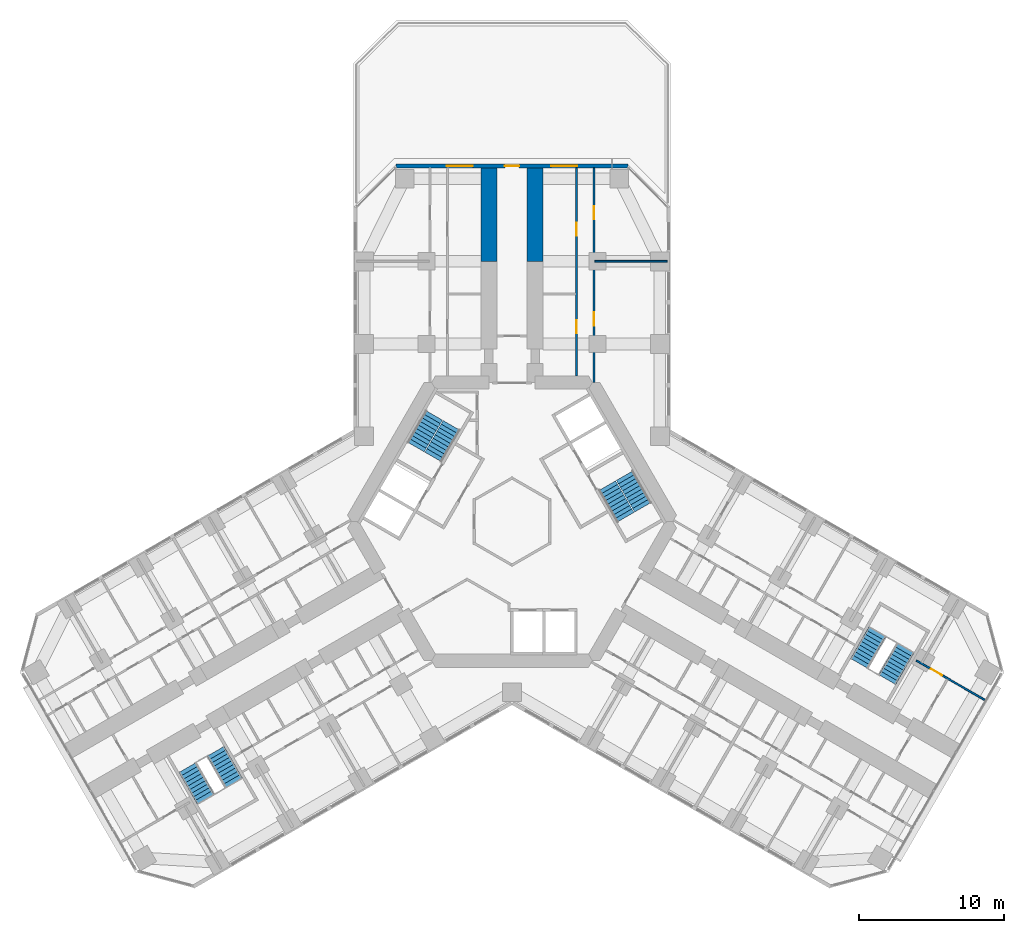
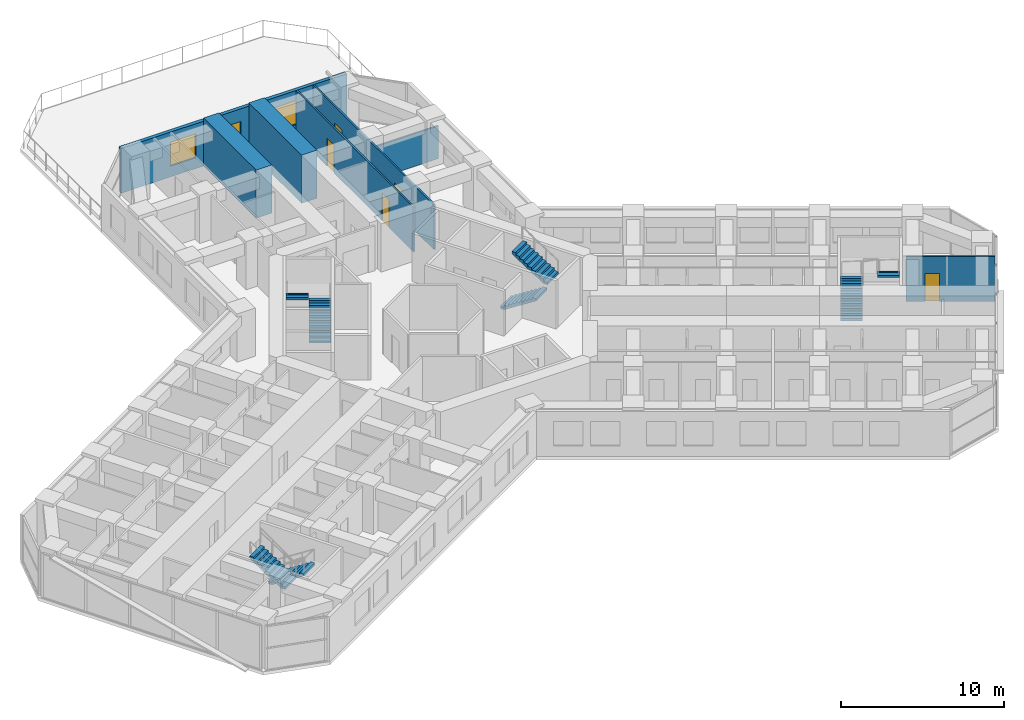
# One storey, part 18 of 19: 8 stair flights, 7 walls, 6 doors, 2 windows, 8 openings, 4 elements without a shape of their own.
"""IFC4 building model written with IfcOpenShell, lengths in metres."""

from ifc_helpers import new_model, si_unit, direction, frame, frame_2d, origin, place, context, subcontext, project, spatial, polyline, rectangle, outline, extrude, material, layer, layer_set, type_object, element, fill, aggregate, save


model = new_model("IFC4")

# Units and contexts
model_context = context("Model", 3, precision=1e-05, world=origin(), true_north=direction((0.0, 1.0)))
body_context = subcontext(model_context, "Body", "Model", "MODEL_VIEW")
ifc_project = project(units=[si_unit("LENGTHUNIT", "METRE"), si_unit("AREAUNIT", "SQUARE_METRE"), si_unit("VOLUMEUNIT", "CUBIC_METRE"), si_unit("PLANEANGLEUNIT", "RADIAN"), si_unit("MASSUNIT", "GRAM", prefix="KILO")], contexts=[model_context])

# Site, building, storey
site_placement = place(None, origin())
site = spatial("IfcSite", under=ifc_project, at=site_placement, CompositionType="ELEMENT")
building_placement = place(site_placement, origin())
building = spatial("IfcBuilding", under=site, at=building_placement, Name="Kosmar Iwan School Tower", CompositionType="ELEMENT")
storey_placement = place(building_placement, frame((0.0, 0.0, 120.199951171875)))
storey = spatial("IfcBuildingStorey", under=building, at=storey_placement, Name="L29", CompositionType="ELEMENT", Elevation=120.199951171875)

# Walls
ifc_material_1 = material(Name="Concrete C50/60", Category="concrete")
ifc_layer_1 = layer(ifc_material_1, 1.10009765625)
ifc_layer_set_1 = layer_set([ifc_layer_1], Name="Corridor buttress wall 1100")
wall_type_1 = type_object("IfcWallType", Name="Corridor buttress wall 1100", PredefinedType="SHEAR", material=ifc_layer_set_1)
for number, where, z_axis, x_axis, name in (
    (1, (-1.60009765625, 17.949951171875, 0.0), (0.0, 0.0, 1.0), (0.0, 1.0, 0.0), "Corridor wall AL bay 2"),
    (2, (1.60009765625, 17.949951171875, 0.0), (0.0, 0.0, 1.0), (0.0, 1.0, 0.0), "Corridor wall AR bay 2"),
):
    element("IfcWall", number, at=place(storey_placement, frame(where, z_axis=z_axis, x_axis=x_axis)), inside=storey, type_object=wall_type_1, Name=name, PredefinedType="SHEAR", context=body_context, shape_type="SweptSolid", body=[
        extrude(rectangle(XDim=6.449951171875, YDim=1.10009765625, at=frame_2d((3.22509765625, 0.0))), origin(), (0.0, 0.0, 1.0), 3.60009765625),
    ])

# Wall, openings, doors
ifc_material_2 = material(Name="Gypsum board on steel studs", Category="steel")
ifc_layer_2 = layer(ifc_material_2, 0.1201171875)
ifc_layer_set_2 = layer_set([ifc_layer_2], Name="Dwelling partition 120")
wall_type_2 = type_object("IfcWallType", Name="Dwelling partition 120", PredefinedType="PARTITIONING", material=ifc_layer_set_2)
wall_1_placement = place(storey_placement, frame((4.449951171875, 10.050048828125, 0.0), z_axis=(0.0, 0.0, 1.0), x_axis=(0.0, 1.0, 0.0)))
wall_1 = element("IfcWall", 3, at=wall_1_placement, inside=storey, type_object=wall_type_2, Name="Partition L29-AR1-W1", PredefinedType="PARTITIONING", context=body_context, shape_type="SweptSolid", body=[
    extrude(rectangle(XDim=14.349853515625, YDim=0.1201171875, at=frame_2d((7.1748046875, 0.0))), origin(), (0.0, 0.0, 1.0), 3.35009765625),
])
opening_1_placement = place(wall_1_placement, frame((2.949951171875, 0.0, 0.0)))
opening_1 = element("IfcOpeningElement", 4, at=opening_1_placement, cuts=wall_1, Name="Opening D2", PredefinedType="OPENING", context=body_context, shape_type="SweptSolid", body=[
    extrude(rectangle(XDim=0.89990234375, YDim=2.10009765625, at=frame_2d((0.449951171875, 1.050048828125))), frame((0.0, 0.072021484375, 0.0), z_axis=(0.0, -1.0, 0.0), x_axis=(1.0, 0.0, 0.0)), (0.0, 0.0, 1.0), 0.14404296875),
])
opening_2_placement = place(wall_1_placement, frame((9.675048828125, 0.0, 0.0)))
opening_2 = element("IfcOpeningElement", 5, at=opening_2_placement, cuts=wall_1, Name="Opening D2", PredefinedType="OPENING", context=body_context, shape_type="SweptSolid", body=[
    extrude(rectangle(XDim=0.89990234375, YDim=2.10009765625, at=frame_2d((0.449951171875, 1.050048828125))), frame((0.0, 0.072021484375, 0.0), z_axis=(0.0, -1.0, 0.0), x_axis=(1.0, 0.0, 0.0)), (0.0, 0.0, 1.0), 0.14404296875),
])
ifc_material_3 = material(Name="Timber door in timber frame", Category="wood")
door_type_1 = type_object("IfcDoorType", Name="Internal door 900x2100", OperationType="SINGLE_SWING_LEFT", PredefinedType="DOOR", material=ifc_material_3)
door_1_placement = place(opening_1_placement, origin())
door_1 = element("IfcDoor", 6, at=door_1_placement, inside=storey, type_object=door_type_1, Name="Lounge kitchen door L29-AR1-S1", OperationType="SINGLE_SWING_RIGHT", OverallHeight=2.10009765625, OverallWidth=0.89990234375, PredefinedType="DOOR", context=body_context, shape_type="SweptSolid", body=[
    extrude(rectangle(XDim=0.89990234375, YDim=2.10009765625, at=frame_2d((0.449951171875, 1.050048828125))), frame((0.0, 0.02490234375, 0.0), z_axis=(0.0, -1.0, 0.0), x_axis=(1.0, 0.0, 0.0)), (0.0, 0.0, 1.0), 0.050048828125),
])
fill(opening_1, door_1)
door_2_placement = place(opening_2_placement, origin())
door_2 = element("IfcDoor", 7, at=door_2_placement, inside=storey, type_object=door_type_1, Name="Accessible toilet door L29-AR1-S2", OperationType="SINGLE_SWING_RIGHT", OverallHeight=2.10009765625, OverallWidth=0.89990234375, PredefinedType="DOOR", context=body_context, shape_type="SweptSolid", body=[
    extrude(rectangle(XDim=0.89990234375, YDim=2.10009765625, at=frame_2d((0.449951171875, 1.050048828125))), frame((0.0, 0.02490234375, 0.0), z_axis=(0.0, -1.0, 0.0), x_axis=(1.0, 0.0, 0.0)), (0.0, 0.0, 1.0), 0.050048828125),
])
fill(opening_2, door_2)

wall_2_placement = place(storey_placement, frame((5.64990234375, 9.60009765625, 0.0), z_axis=(0.0, 0.0, 1.0), x_axis=(0.0, 1.0, 0.0)))
wall_2 = element("IfcWall", 8, at=wall_2_placement, inside=storey, type_object=wall_type_2, Name="Partition L29-AR1-W2", PredefinedType="PARTITIONING", context=body_context, shape_type="SweptSolid", body=[
    extrude(rectangle(XDim=14.7998046875, YDim=0.1201171875, at=frame_2d((7.39990234375, 0.0))), origin(), (0.0, 0.0, 1.0), 3.35009765625),
])
opening_3_placement = place(wall_2_placement, frame((3.925048828125, 0.0, 0.0)))
opening_3 = element("IfcOpeningElement", 9, at=opening_3_placement, cuts=wall_2, Name="Opening D2", PredefinedType="OPENING", context=body_context, shape_type="SweptSolid", body=[
    extrude(rectangle(XDim=0.89990234375, YDim=2.10009765625, at=frame_2d((0.449951171875, 1.050048828125))), frame((0.0, 0.072021484375, 0.0), z_axis=(0.0, -1.0, 0.0), x_axis=(1.0, 0.0, 0.0)), (0.0, 0.0, 1.0), 0.14404296875),
])
opening_4_placement = place(wall_2_placement, frame((11.25, 0.0, 0.0)))
opening_4 = element("IfcOpeningElement", 10, at=opening_4_placement, cuts=wall_2, Name="Opening D2", PredefinedType="OPENING", context=body_context, shape_type="SweptSolid", body=[
    extrude(rectangle(XDim=0.89990234375, YDim=2.10009765625, at=frame_2d((0.449951171875, 1.050048828125))), frame((0.0, 0.072021484375, 0.0), z_axis=(0.0, -1.0, 0.0), x_axis=(1.0, 0.0, 0.0)), (0.0, 0.0, 1.0), 0.14404296875),
])
door_3_placement = place(opening_3_placement, origin())
door_3 = element("IfcDoor", 11, at=door_3_placement, inside=storey, type_object=door_type_1, Name="Residents' lounge door L29-AR1-F1", OperationType="SINGLE_SWING_LEFT", OverallHeight=2.10009765625, OverallWidth=0.89990234375, PredefinedType="DOOR", context=body_context, shape_type="SweptSolid", body=[
    extrude(rectangle(XDim=0.89990234375, YDim=2.10009765625, at=frame_2d((0.449951171875, 1.050048828125))), frame((0.0, 0.02490234375, 0.0), z_axis=(0.0, -1.0, 0.0), x_axis=(1.0, 0.0, 0.0)), (0.0, 0.0, 1.0), 0.050048828125),
])
fill(opening_3, door_3)
door_4_placement = place(opening_4_placement, origin())
door_4 = element("IfcDoor", 12, at=door_4_placement, inside=storey, type_object=door_type_1, Name="Children's play room door L29-AR1-F2", OperationType="SINGLE_SWING_RIGHT", OverallHeight=2.10009765625, OverallWidth=0.89990234375, PredefinedType="DOOR", context=body_context, shape_type="SweptSolid", body=[
    extrude(rectangle(XDim=0.89990234375, YDim=2.10009765625, at=frame_2d((0.449951171875, 1.050048828125))), frame((0.0, 0.02490234375, 0.0), z_axis=(0.0, -1.0, 0.0), x_axis=(1.0, 0.0, 0.0)), (0.0, 0.0, 1.0), 0.050048828125),
])
fill(opening_4, door_4)

# Wall
wall_3_placement = place(storey_placement, frame((5.7099609375, 17.949951171875, 0.0), z_axis=(0.0, 0.0, 1.0), x_axis=(1.0, 0.0, 0.0)))
element("IfcWall", 13, at=wall_3_placement, inside=storey, type_object=wall_type_2, Name="Partition L29-AR1-X1", PredefinedType="PARTITIONING", context=body_context, shape_type="SweptSolid", body=[
    extrude(rectangle(XDim=4.989990234375, YDim=0.1201171875, at=frame_2d((2.4951171875, 0.0))), origin(), (0.0, 0.0, 1.0), 2.449951171875),
])

# Wall, opening, door
wall_4_placement = place(storey_placement, frame((27.896484375, -9.58203125, 0.0), z_axis=(0.0, 0.0, 1.0), x_axis=(0.866035508231, -0.499982498177, 0.0)))
wall_4 = element("IfcWall", 14, at=wall_4_placement, inside=storey, type_object=wall_type_2, Name="Partition L29-CL2-TW", PredefinedType="PARTITIONING", context=body_context, shape_type="SweptSolid", body=[
    extrude(rectangle(XDim=5.445068359375, YDim=0.1201171875, at=frame_2d((2.72265625, 0.0))), origin(), (0.0, 0.0, 1.0), 3.35009765625),
])
opening_5_placement = place(wall_4_placement, frame((1.14990234375, 0.0, 0.0)))
opening_5 = element("IfcOpeningElement", 15, at=opening_5_placement, cuts=wall_4, Name="Opening D2", PredefinedType="OPENING", context=body_context, shape_type="SweptSolid", body=[
    extrude(rectangle(XDim=0.89990234375, YDim=2.10009765625, at=frame_2d((0.449951171875, 1.050048828125))), frame((0.0, 0.072021484375, 0.0), z_axis=(0.0, -1.0, 0.0), x_axis=(1.0, 0.0, 0.0)), (0.0, 0.0, 1.0), 0.14404296875),
])
door_5_placement = place(opening_5_placement, origin())
door_5 = element("IfcDoor", 16, at=door_5_placement, inside=storey, type_object=door_type_1, Name="Entrance hall door L29-CL2-T3", OperationType="SINGLE_SWING_LEFT", OverallHeight=2.10009765625, OverallWidth=0.89990234375, PredefinedType="DOOR", context=body_context, shape_type="SweptSolid", body=[
    extrude(rectangle(XDim=0.89990234375, YDim=2.10009765625, at=frame_2d((0.449951171875, 1.050048828125))), frame((0.0, 0.02490234375, 0.0), z_axis=(0.0, -1.0, 0.0), x_axis=(1.0, 0.0, 0.0)), (0.0, 0.0, 1.0), 0.050048828125),
])
fill(opening_5, door_5)

# Wall, openings, door, windows
ifc_material_4 = material(Name="Black steel framed fire-resisting glazed screen", Category="steel")
ifc_layer_3 = layer(ifc_material_4, 0.25)
ifc_layer_set_3 = layer_set([ifc_layer_3], Name="Fire-resisting terrace screen wall 250")
wall_type_3 = type_object("IfcWallType", Name="Fire-resisting terrace screen wall 250", PredefinedType="SOLIDWALL", material=ifc_layer_set_3)
wall_5_placement = place(storey_placement, frame((7.9853515625, 24.52490234375, 0.0), z_axis=(0.0, 0.0, 1.0), x_axis=(-1.0, 0.0, 0.0)))
wall_5 = element("IfcWall", 17, at=wall_5_placement, inside=storey, type_object=wall_type_3, Name="Terrace screen L29 L29-F08", PredefinedType="SOLIDWALL", context=body_context, shape_type="SweptSolid", body=[
    extrude(rectangle(XDim=15.970703125, YDim=0.25, at=frame_2d((7.9853515625, 0.0))), origin(), (0.0, 0.0, 1.0), 3.35009765625),
])
opening_6_placement = place(wall_5_placement, frame((7.4853515625, 0.0, 0.0)))
opening_6 = element("IfcOpeningElement", 18, at=opening_6_placement, cuts=wall_5, Name="Opening D15", PredefinedType="OPENING", context=body_context, shape_type="SweptSolid", body=[
    extrude(rectangle(XDim=1.0, YDim=2.39990234375, at=frame_2d((0.5, 1.199951171875))), frame((0.0, 0.136962890625, 0.0), z_axis=(0.0, -1.0, 0.0), x_axis=(1.0, 0.0, 0.0)), (0.0, 0.0, 1.0), 0.27392578125),
])
opening_7_placement = place(wall_5_placement, frame((3.4853515625, 0.0, 0.800048828125)))
opening_7 = element("IfcOpeningElement", 19, at=opening_7_placement, cuts=wall_5, Name="Opening W1", PredefinedType="OPENING", context=body_context, shape_type="SweptSolid", body=[
    extrude(rectangle(XDim=1.800048828125, YDim=1.800048828125, at=frame_2d((0.89990234375, 0.89990234375))), frame((0.0, 0.136962890625, 0.0), z_axis=(0.0, -1.0, 0.0), x_axis=(1.0, 0.0, 0.0)), (0.0, 0.0, 1.0), 0.27392578125),
])
opening_8_placement = place(wall_5_placement, frame((10.685302734375, 0.0, 0.800048828125)))
opening_8 = element("IfcOpeningElement", 20, at=opening_8_placement, cuts=wall_5, Name="Opening W1", PredefinedType="OPENING", context=body_context, shape_type="SweptSolid", body=[
    extrude(rectangle(XDim=1.800048828125, YDim=1.800048828125, at=frame_2d((0.89990234375, 0.89990234375))), frame((0.0, 0.136962890625, 0.0), z_axis=(0.0, -1.0, 0.0), x_axis=(1.0, 0.0, 0.0)), (0.0, 0.0, 1.0), 0.27392578125),
])
ifc_material_5 = material(Name="Insulated steel door, weather-sealed", Category="steel")
door_type_2 = type_object("IfcDoorType", Name="Maintenance access door 1000x2400", OperationType="SINGLE_SWING_LEFT", PredefinedType="DOOR", material=ifc_material_5)
door_6_placement = place(opening_6_placement, origin())
door_6 = element("IfcDoor", 21, at=door_6_placement, inside=storey, type_object=door_type_2, Name="Maintenance access door A L29", OperationType="SINGLE_SWING_LEFT", OverallHeight=2.39990234375, OverallWidth=1.0, PredefinedType="DOOR", context=body_context, shape_type="SweptSolid", body=[
    extrude(rectangle(XDim=1.0, YDim=2.39990234375, at=frame_2d((0.5, 1.199951171875))), frame((0.0, 0.02490234375, 0.0), z_axis=(0.0, -1.0, 0.0), x_axis=(1.0, 0.0, 0.0)), (0.0, 0.0, 1.0), 0.050048828125),
])
fill(opening_6, door_6)
ifc_material_6 = material(Name="Black aluminium frame with dark triple glazing", Category="aluminium")
window_type = type_object("IfcWindowType", Name="Window 1800x1800", PartitioningType="SINGLE_PANEL", PredefinedType="WINDOW", material=ifc_material_6)
window_1_placement = place(opening_7_placement, origin())
window_1 = element("IfcWindow", 22, at=window_1_placement, inside=storey, type_object=window_type, Name="Window tip A L29", OverallHeight=1.800048828125, OverallWidth=1.800048828125, PartitioningType="SINGLE_PANEL", PredefinedType="WINDOW", context=body_context, shape_type="SweptSolid", body=[
    extrude(rectangle(XDim=1.800048828125, YDim=1.800048828125, at=frame_2d((0.89990234375, 0.89990234375))), frame((0.0, 0.030029296875, 0.0), z_axis=(0.0, -1.0, 0.0), x_axis=(1.0, 0.0, 0.0)), (0.0, 0.0, 1.0), 0.06005859375),
])
fill(opening_7, window_1)
window_2_placement = place(opening_8_placement, origin())
window_2 = element("IfcWindow", 23, at=window_2_placement, inside=storey, type_object=window_type, Name="Window tip A L29", OverallHeight=1.800048828125, OverallWidth=1.800048828125, PartitioningType="SINGLE_PANEL", PredefinedType="WINDOW", context=body_context, shape_type="SweptSolid", body=[
    extrude(rectangle(XDim=1.800048828125, YDim=1.800048828125, at=frame_2d((0.89990234375, 0.89990234375))), frame((0.0, 0.030029296875, 0.0), z_axis=(0.0, -1.0, 0.0), x_axis=(1.0, 0.0, 0.0)), (0.0, 0.0, 1.0), 0.06005859375),
])
fill(opening_8, window_2)

# Stair, stair flights
ifc_material_7 = material(Name="Concrete C35/45", Category="concrete")
stair_type_1 = type_object("IfcStairType", Name="Escape stair 3600", PredefinedType="HALF_TURN_STAIR", material=ifc_material_7)
stair_1_placement = place(storey_placement, origin())
stair_1 = element("IfcStair", 24, at=stair_1_placement, inside=storey, type_object=stair_type_1, Name="Stair WS2 L29", PredefinedType="HALF_TURN_STAIR")
ifc_material_8 = material(Name="Concrete C35/45", Category="concrete")
stair_flight_type_1 = type_object("IfcStairFlightType", Name="Escape stair flight 1350", PredefinedType="STRAIGHT", material=ifc_material_8)
stair_flight_1_placement = place(storey_placement, frame((-20.44189453125, -15.843505859375, 0.0), z_axis=(0.0, 0.0, 1.0), x_axis=(0.5, -0.866025403784, 0.0)))
stair_flight_1 = element("IfcStairFlight", 25, at=stair_flight_1_placement, type_object=stair_flight_type_1, Name="WS2 flight 1", NumberOfRisers=10, NumberOfTreads=9, PredefinedType="STRAIGHT", RiserHeight=0.18, TreadLength=0.28, context=body_context, shape_type="SweptSolid", body=[
    extrude(outline(polyline([(0.0, 0.0), (0.0, 0.179931640625), (0.280029296875, 0.179931640625), (0.280029296875, 0.360107421875), (0.56005859375, 0.360107421875), (0.56005859375, 0.5400390625), (0.840087890625, 0.5400390625), (0.840087890625, 0.719970703125), (1.1201171875, 0.719970703125), (1.1201171875, 0.89990234375), (1.39990234375, 0.89990234375), (1.39990234375, 1.080078125), (1.679931640625, 1.080078125), (1.679931640625, 1.260009765625), (1.9599609375, 1.260009765625), (1.9599609375, 1.43994140625), (2.239990234375, 1.43994140625), (2.239990234375, 1.6201171875), (2.52001953125, 1.6201171875), (2.52001953125, 1.800048828125), (2.52001953125, 1.44189453125), (0.277099609375, 0.0), (0.0, 0.0)])), frame((0.0, 0.675048828125, 0.0), z_axis=(0.0, -1.0, 0.0), x_axis=(1.0, 0.0, 0.0)), (0.0, 0.0, 1.0), 1.35009765625),
])
stair_flight_2_placement = place(storey_placement, frame((-21.13037109375, -19.15087890625, 1.800048828125), z_axis=(0.0, 0.0, 1.0), x_axis=(-0.5, 0.866025403784, 0.0)))
stair_flight_2 = element("IfcStairFlight", 26, at=stair_flight_2_placement, type_object=stair_flight_type_1, Name="WS2 flight 2", NumberOfRisers=10, NumberOfTreads=9, PredefinedType="STRAIGHT", RiserHeight=0.18, TreadLength=0.28, context=body_context, shape_type="SweptSolid", body=[
    extrude(outline(polyline([(0.0, 0.0), (0.0, 0.179931640625), (0.280029296875, 0.179931640625), (0.280029296875, 0.360107421875), (0.56005859375, 0.360107421875), (0.56005859375, 0.5400390625), (0.840087890625, 0.5400390625), (0.840087890625, 0.719970703125), (1.1201171875, 0.719970703125), (1.1201171875, 0.89990234375), (1.39990234375, 0.89990234375), (1.39990234375, 1.080078125), (1.679931640625, 1.080078125), (1.679931640625, 1.260009765625), (1.9599609375, 1.260009765625), (1.9599609375, 1.43994140625), (2.239990234375, 1.43994140625), (2.239990234375, 1.6201171875), (2.52001953125, 1.6201171875), (2.52001953125, 1.800048828125), (2.52001953125, 1.44189453125), (0.277099609375, 0.0), (0.0, 0.0)])), frame((0.0, 0.675048828125, 0.0), z_axis=(0.0, -1.0, 0.0), x_axis=(1.0, 0.0, 0.0)), (0.0, 0.0, 1.0), 1.35009765625),
])
aggregate(stair_1, [stair_flight_1, stair_flight_2])

stair_2_placement = place(storey_placement, origin())
stair_2 = element("IfcStair", 27, at=stair_2_placement, inside=storey, type_object=stair_type_1, Name="Stair WS3 L29", PredefinedType="HALF_TURN_STAIR")
stair_flight_3_placement = place(storey_placement, frame((23.94189453125, -9.781494140625, 0.0), z_axis=(0.0, 0.0, 1.0), x_axis=(0.5, 0.866025403784, 0.0)))
stair_flight_3 = element("IfcStairFlight", 28, at=stair_flight_3_placement, type_object=stair_flight_type_1, Name="WS3 flight 1", NumberOfRisers=10, NumberOfTreads=9, PredefinedType="STRAIGHT", RiserHeight=0.18, TreadLength=0.28, context=body_context, shape_type="SweptSolid", body=[
    extrude(outline(polyline([(0.0, 0.0), (0.0, 0.179931640625), (0.280029296875, 0.179931640625), (0.280029296875, 0.360107421875), (0.56005859375, 0.360107421875), (0.56005859375, 0.5400390625), (0.840087890625, 0.5400390625), (0.840087890625, 0.719970703125), (1.1201171875, 0.719970703125), (1.1201171875, 0.89990234375), (1.39990234375, 0.89990234375), (1.39990234375, 1.080078125), (1.679931640625, 1.080078125), (1.679931640625, 1.260009765625), (1.9599609375, 1.260009765625), (1.9599609375, 1.43994140625), (2.239990234375, 1.43994140625), (2.239990234375, 1.6201171875), (2.52001953125, 1.6201171875), (2.52001953125, 1.800048828125), (2.52001953125, 1.44189453125), (0.277099609375, 0.0), (0.0, 0.0)])), frame((0.0, 0.675048828125, 0.0), z_axis=(0.0, -1.0, 0.0), x_axis=(1.0, 0.0, 0.0)), (0.0, 0.0, 1.0), 1.35009765625),
])
stair_flight_4_placement = place(storey_placement, frame((27.150390625, -8.72412109375, 1.800048828125), z_axis=(0.0, 0.0, 1.0), x_axis=(-0.5, -0.866025403784, 0.0)))
stair_flight_4 = element("IfcStairFlight", 29, at=stair_flight_4_placement, type_object=stair_flight_type_1, Name="WS3 flight 2", NumberOfRisers=10, NumberOfTreads=9, PredefinedType="STRAIGHT", RiserHeight=0.18, TreadLength=0.28, context=body_context, shape_type="SweptSolid", body=[
    extrude(outline(polyline([(0.0, 0.0), (0.0, 0.179931640625), (0.280029296875, 0.179931640625), (0.280029296875, 0.360107421875), (0.56005859375, 0.360107421875), (0.56005859375, 0.5400390625), (0.840087890625, 0.5400390625), (0.840087890625, 0.719970703125), (1.1201171875, 0.719970703125), (1.1201171875, 0.89990234375), (1.39990234375, 0.89990234375), (1.39990234375, 1.080078125), (1.679931640625, 1.080078125), (1.679931640625, 1.260009765625), (1.9599609375, 1.260009765625), (1.9599609375, 1.43994140625), (2.239990234375, 1.43994140625), (2.239990234375, 1.6201171875), (2.52001953125, 1.6201171875), (2.52001953125, 1.800048828125), (2.52001953125, 1.44189453125), (0.277099609375, 0.0), (0.0, 0.0)])), frame((0.0, 0.675048828125, 0.0), z_axis=(0.0, -1.0, 0.0), x_axis=(1.0, 0.0, 0.0)), (0.0, 0.0, 1.0), 1.35009765625),
])
aggregate(stair_2, [stair_flight_3, stair_flight_4])

ifc_material_9 = material(Name="Concrete C35/45", Category="concrete")
stair_type_2 = type_object("IfcStairType", Name="Core stair 2750", PredefinedType="HALF_TURN_STAIR", material=ifc_material_9)
stair_3_placement = place(storey_placement, origin())
stair_3 = element("IfcStair", 30, at=stair_3_placement, inside=storey, type_object=stair_type_2, Name="Stair ST2 L29", PredefinedType="HALF_TURN_STAIR")
ifc_material_10 = material(Name="Concrete C35/45", Category="concrete")
stair_flight_type_2 = type_object("IfcStairFlightType", Name="Stair flight 1350", PredefinedType="STRAIGHT", material=ifc_material_10)
stair_flight_5_placement = place(storey_placement, frame((-5.42724609375, 4.44970703125, 0.0), z_axis=(0.0, 0.0, 1.0), x_axis=(0.5, 0.866025403784, 0.0)))
stair_flight_5 = element("IfcStairFlight", 31, at=stair_flight_5_placement, type_object=stair_flight_type_2, Name="ST2 flight 1", NumberOfRisers=10, NumberOfTreads=9, PredefinedType="STRAIGHT", RiserHeight=0.18, TreadLength=0.28, context=body_context, shape_type="SweptSolid", body=[
    extrude(outline(polyline([(0.0, 0.0), (0.0, 0.179931640625), (0.280029296875, 0.179931640625), (0.280029296875, 0.360107421875), (0.56005859375, 0.360107421875), (0.56005859375, 0.5400390625), (0.840087890625, 0.5400390625), (0.840087890625, 0.719970703125), (1.1201171875, 0.719970703125), (1.1201171875, 0.89990234375), (1.39990234375, 0.89990234375), (1.39990234375, 1.080078125), (1.679931640625, 1.080078125), (1.679931640625, 1.260009765625), (1.9599609375, 1.260009765625), (1.9599609375, 1.43994140625), (2.239990234375, 1.43994140625), (2.239990234375, 1.6201171875), (2.52001953125, 1.6201171875), (2.52001953125, 1.800048828125), (2.52001953125, 1.44189453125), (0.277099609375, 0.0), (0.0, 0.0)])), frame((0.0, 0.675048828125, 0.0), z_axis=(0.0, -1.0, 0.0), x_axis=(1.0, 0.0, 0.0)), (0.0, 0.0, 1.0), 1.35009765625),
])
stair_flight_6_placement = place(storey_placement, frame((-5.379638671875, 7.33203125, 1.800048828125), z_axis=(0.0, 0.0, 1.0), x_axis=(-0.5, -0.866025403784, 0.0)))
stair_flight_6 = element("IfcStairFlight", 32, at=stair_flight_6_placement, type_object=stair_flight_type_2, Name="ST2 flight 2", NumberOfRisers=10, NumberOfTreads=9, PredefinedType="STRAIGHT", RiserHeight=0.18, TreadLength=0.28, context=body_context, shape_type="SweptSolid", body=[
    extrude(outline(polyline([(0.0, 0.0), (0.0, 0.179931640625), (0.280029296875, 0.179931640625), (0.280029296875, 0.360107421875), (0.56005859375, 0.360107421875), (0.56005859375, 0.5400390625), (0.840087890625, 0.5400390625), (0.840087890625, 0.719970703125), (1.1201171875, 0.719970703125), (1.1201171875, 0.89990234375), (1.39990234375, 0.89990234375), (1.39990234375, 1.080078125), (1.679931640625, 1.080078125), (1.679931640625, 1.260009765625), (1.9599609375, 1.260009765625), (1.9599609375, 1.43994140625), (2.239990234375, 1.43994140625), (2.239990234375, 1.6201171875), (2.52001953125, 1.6201171875), (2.52001953125, 1.800048828125), (2.52001953125, 1.44189453125), (0.277099609375, 0.0), (0.0, 0.0)])), frame((0.0, 0.675048828125, 0.0), z_axis=(0.0, -1.0, 0.0), x_axis=(1.0, 0.0, 0.0)), (0.0, 0.0, 1.0), 1.35009765625),
])
aggregate(stair_3, [stair_flight_5, stair_flight_6])

stair_4_placement = place(storey_placement, origin())
stair_4 = element("IfcStair", 33, at=stair_4_placement, inside=storey, type_object=stair_type_2, Name="Stair ST1 L29", PredefinedType="HALF_TURN_STAIR")
stair_flight_7_placement = place(storey_placement, frame((6.567138671875, 2.475341796875, 0.0), z_axis=(0.0, 0.0, 1.0), x_axis=(0.5, -0.866025403784, 0.0)))
stair_flight_7 = element("IfcStairFlight", 34, at=stair_flight_7_placement, type_object=stair_flight_type_2, Name="ST1 flight 1", NumberOfRisers=10, NumberOfTreads=9, PredefinedType="STRAIGHT", RiserHeight=0.18, TreadLength=0.28, context=body_context, shape_type="SweptSolid", body=[
    extrude(outline(polyline([(0.0, 0.0), (0.0, 0.179931640625), (0.280029296875, 0.179931640625), (0.280029296875, 0.360107421875), (0.56005859375, 0.360107421875), (0.56005859375, 0.5400390625), (0.840087890625, 0.5400390625), (0.840087890625, 0.719970703125), (1.1201171875, 0.719970703125), (1.1201171875, 0.89990234375), (1.39990234375, 0.89990234375), (1.39990234375, 1.080078125), (1.679931640625, 1.080078125), (1.679931640625, 1.260009765625), (1.9599609375, 1.260009765625), (1.9599609375, 1.43994140625), (2.239990234375, 1.43994140625), (2.239990234375, 1.6201171875), (2.52001953125, 1.6201171875), (2.52001953125, 1.800048828125), (2.52001953125, 1.44189453125), (0.277099609375, 0.0), (0.0, 0.0)])), frame((0.0, 0.675048828125, 0.0), z_axis=(0.0, -1.0, 0.0), x_axis=(1.0, 0.0, 0.0)), (0.0, 0.0, 1.0), 1.35009765625),
])
stair_flight_8_placement = place(storey_placement, frame((9.03955078125, 0.992919921875, 1.800048828125), z_axis=(0.0, 0.0, 1.0), x_axis=(-0.5, 0.866025403784, 0.0)))
stair_flight_8 = element("IfcStairFlight", 35, at=stair_flight_8_placement, type_object=stair_flight_type_2, Name="ST1 flight 2", NumberOfRisers=10, NumberOfTreads=9, PredefinedType="STRAIGHT", RiserHeight=0.18, TreadLength=0.28, context=body_context, shape_type="SweptSolid", body=[
    extrude(outline(polyline([(0.0, 0.0), (0.0, 0.179931640625), (0.280029296875, 0.179931640625), (0.280029296875, 0.360107421875), (0.56005859375, 0.360107421875), (0.56005859375, 0.5400390625), (0.840087890625, 0.5400390625), (0.840087890625, 0.719970703125), (1.1201171875, 0.719970703125), (1.1201171875, 0.89990234375), (1.39990234375, 0.89990234375), (1.39990234375, 1.080078125), (1.679931640625, 1.080078125), (1.679931640625, 1.260009765625), (1.9599609375, 1.260009765625), (1.9599609375, 1.43994140625), (2.239990234375, 1.43994140625), (2.239990234375, 1.6201171875), (2.52001953125, 1.6201171875), (2.52001953125, 1.800048828125), (2.52001953125, 1.44189453125), (0.277099609375, 0.0), (0.0, 0.0)])), frame((0.0, 0.675048828125, 0.0), z_axis=(0.0, -1.0, 0.0), x_axis=(1.0, 0.0, 0.0)), (0.0, 0.0, 1.0), 1.35009765625),
])
aggregate(stair_4, [stair_flight_7, stair_flight_8])

save(model, "model.ifc")
